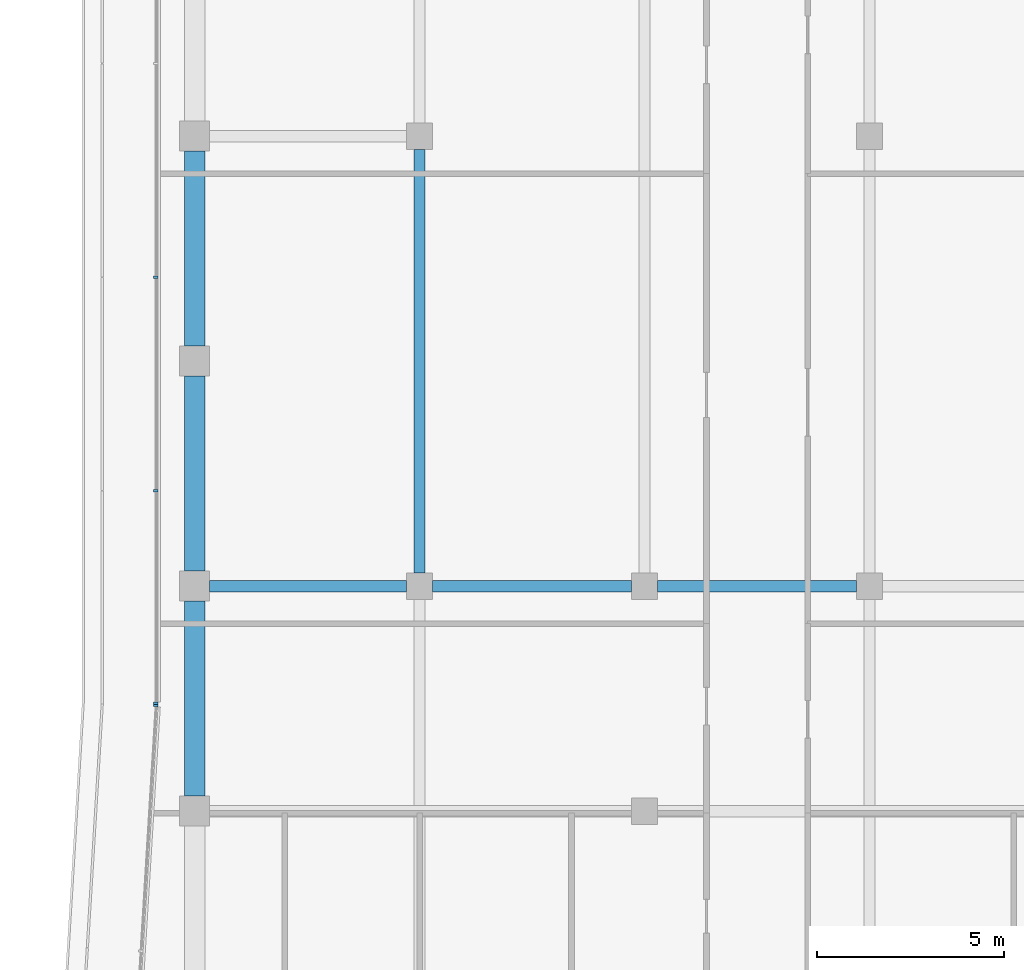
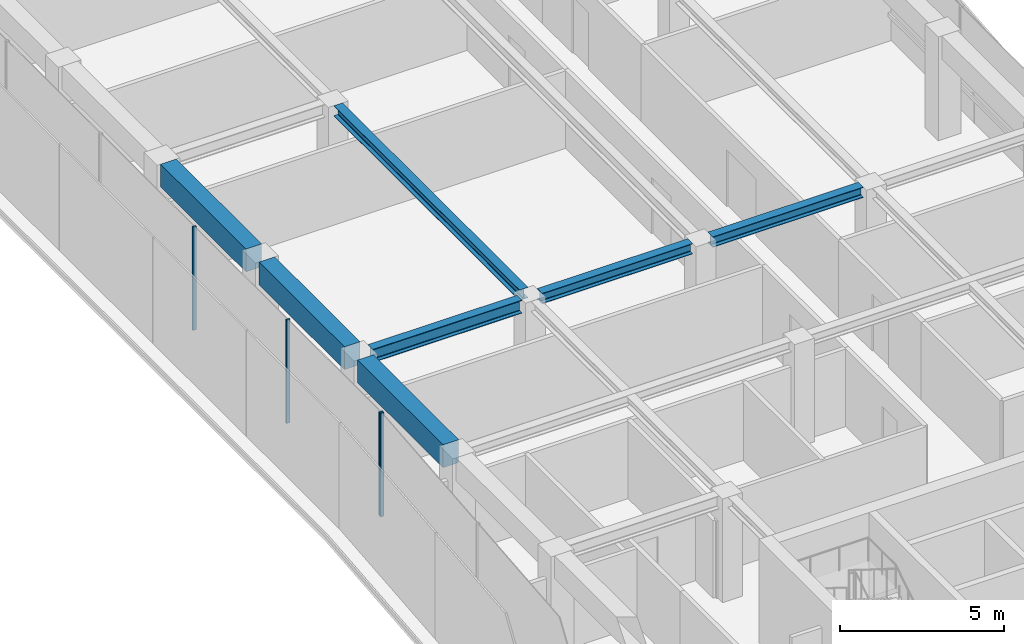
# One storey, part 7 of 19: 7 beams, 4 members, 2 elements without a shape of their own.
"""IFC4 building model written with IfcOpenShell, lengths in metres."""

from ifc_helpers import new_model, si_unit, direction, frame, origin, origin_2d, place, context, subcontext, project, spatial, rectangle, i_section, extrude, material, layer, layer_set, material_profile, profile_set, type_object, element, aggregate, save


model = new_model("IFC4")

# Units and contexts
model_context = context("Model", 3, precision=1e-05, world=origin(), true_north=direction((0.0, 1.0)))
body_context = subcontext(model_context, "Body", "Model", "MODEL_VIEW")
ifc_project = project(units=[si_unit("LENGTHUNIT", "METRE"), si_unit("AREAUNIT", "SQUARE_METRE"), si_unit("VOLUMEUNIT", "CUBIC_METRE"), si_unit("PLANEANGLEUNIT", "RADIAN"), si_unit("MASSUNIT", "GRAM", prefix="KILO")], contexts=[model_context])

# Site, building, storey
site_placement = place(None, origin())
site = spatial("IfcSite", under=ifc_project, at=site_placement, CompositionType="ELEMENT")
building_placement = place(site_placement, origin())
building = spatial("IfcBuilding", under=site, at=building_placement, Name="Welwitschia Terrace Campus", CompositionType="ELEMENT")
storey_placement = place(building_placement, frame((0.0, 0.0, 243.199951171875)))
storey = spatial("IfcBuildingStorey", under=building, at=storey_placement, Name="L54", CompositionType="ELEMENT", Elevation=243.199951171875)

# Beams
ifc_material_1 = material(Name="Steel S355", Category="steel")
ifc_material_profile_1 = material_profile(ifc_material_1, i_section(OverallWidth=0.300048828125, OverallDepth=0.389892578125, WebThickness=0.010986328125, FlangeThickness=0.01904296875, FilletRadius=0.027099609375, at=origin_2d()))
ifc_profile_set_1 = profile_set([ifc_material_profile_1], Name="Steel S355")
beam_type_1 = type_object("IfcBeamType", Name="Interior girder HE 400 A", PredefinedType="BEAM", material=ifc_profile_set_1)
for number, where, z_axis, x_axis, name in (
    (1, (6.3505859375, 40.0, 3.655029296875), (1.0, 0.0, 0.0), (0.0, 1.0, 0.0), "Girder GB5"),
    (2, (12.3505859375, 40.0, 3.655029296875), (1.0, 0.0, 0.0), (0.0, 1.0, 0.0), "Girder GB5"),
):
    element("IfcBeam", number, at=place(storey_placement, frame(where, z_axis=z_axis, x_axis=x_axis)), inside=storey, type_object=beam_type_1, Name=name, PredefinedType="BEAM", context=body_context, shape_type="SweptSolid", body=[
        extrude(i_section(OverallWidth=0.300048828125, OverallDepth=0.389892578125, WebThickness=0.010986328125, FlangeThickness=0.01904296875, FilletRadius=0.027099609375, at=origin_2d()), origin(), (0.0, 0.0, 1.0), 5.298828125),
    ])
beam_1_placement = place(storey_placement, frame((6.0, 40.3505859375, 3.655029296875), z_axis=(0.0, 1.0, 0.0), x_axis=(-1.0, 0.0, 0.0)))
element("IfcBeam", 3, at=beam_1_placement, inside=storey, type_object=beam_type_1, Name="Girder GB5", PredefinedType="BEAM", context=body_context, shape_type="SweptSolid", body=[
    extrude(i_section(OverallWidth=0.300048828125, OverallDepth=0.389892578125, WebThickness=0.010986328125, FlangeThickness=0.01904296875, FilletRadius=0.027099609375, at=origin_2d()), origin(), (0.0, 0.0, 1.0), 11.298828125),
])

# Curtain wall, member
ifc_material_2 = material(Name="Bronze anodised aluminium", Category="aluminium")
ifc_layer = layer(ifc_material_2, 0.1201171875)
ifc_layer_set = layer_set([ifc_layer], Name="Bronze anodised aluminium")
curtain_wall_type = type_object("IfcCurtainWallType", Name="Curtain wall CW2 tower 6000", PredefinedType="NOTDEFINED", material=ifc_layer_set)
curtain_wall_1_placement = place(storey_placement, origin())
curtain_wall_1 = element("IfcCurtainWall", 4, at=curtain_wall_1_placement, inside=storey, type_object=curtain_wall_type, Name="CW L54.0.0", PredefinedType="NOTDEFINED")
ifc_material_3 = material(Name="Bronze anodised aluminium", Category="aluminium")
ifc_material_profile_2 = material_profile(ifc_material_3, rectangle(XDim=0.1201171875, YDim=0.06005859375, at=origin_2d()))
ifc_profile_set_2 = profile_set([ifc_material_profile_2], Name="Bronze anodised aluminium")
member_type = type_object("IfcMemberType", Name="Mullion 60x120", PredefinedType="MULLION", material=ifc_profile_set_2)
member_1_placement = place(storey_placement, frame((-1.03173828125, 36.816650390625, 0.0), z_axis=(0.0, 0.0, 1.0), x_axis=(0.998134798422, -0.061048539535, 0.0)))
member_1 = element("IfcMember", 5, at=member_1_placement, type_object=member_type, Name="Mullion L54.0.0.0", PredefinedType="MULLION", context=body_context, shape_type="SweptSolid", body=[
    extrude(rectangle(XDim=0.1201171875, YDim=0.06005859375, at=origin_2d()), origin(), (0.0, 0.0, 1.0), 3.85009765625),
])
aggregate(curtain_wall_1, [member_1])

# Curtain wall, members
curtain_wall_2_placement = place(storey_placement, origin())
curtain_wall_2 = element("IfcCurtainWall", 6, at=curtain_wall_2_placement, inside=storey, type_object=curtain_wall_type, Name="CW L54.8.0", PredefinedType="NOTDEFINED")
member_2_placement = place(storey_placement, frame((-1.030029296875, 48.240966796875, 0.0), z_axis=(0.0, 0.0, 1.0), x_axis=(1.0, 0.0, 0.0)))
member_2 = element("IfcMember", 7, at=member_2_placement, type_object=member_type, Name="Mullion L54.8.0.4", PredefinedType="MULLION", context=body_context, shape_type="SweptSolid", body=[
    extrude(rectangle(XDim=0.1201171875, YDim=0.06005859375, at=origin_2d()), origin(), (0.0, 0.0, 1.0), 3.85009765625),
])
member_3_placement = place(storey_placement, frame((-1.030029296875, 42.543701171875, 0.0), z_axis=(0.0, 0.0, 1.0), x_axis=(1.0, 0.0, 0.0)))
member_3 = element("IfcMember", 8, at=member_3_placement, type_object=member_type, Name="Mullion L54.8.0.5", PredefinedType="MULLION", context=body_context, shape_type="SweptSolid", body=[
    extrude(rectangle(XDim=0.1201171875, YDim=0.06005859375, at=origin_2d()), origin(), (0.0, 0.0, 1.0), 3.85009765625),
])
member_4_placement = place(storey_placement, frame((-1.030029296875, 36.87646484375, 0.0), z_axis=(0.0, 0.0, 1.0), x_axis=(1.0, 0.0, 0.0)))
member_4 = element("IfcMember", 9, at=member_4_placement, type_object=member_type, Name="Mullion L54.8.0.6", PredefinedType="MULLION", context=body_context, shape_type="SweptSolid", body=[
    extrude(rectangle(XDim=0.1201171875, YDim=0.06005859375, at=origin_2d()), origin(), (0.0, 0.0, 1.0), 3.85009765625),
])
aggregate(curtain_wall_2, [member_2, member_3, member_4])

# Beams
ifc_material_4 = material(Name="Steel S355", Category="steel")
ifc_material_profile_3 = material_profile(ifc_material_4, i_section(OverallWidth=0.300048828125, OverallDepth=0.489990234375, WebThickness=0.011962890625, FlangeThickness=0.02294921875, FilletRadius=0.027099609375, at=origin_2d()))
ifc_profile_set_3 = profile_set([ifc_material_profile_3], Name="Steel S355")
beam_type_2 = type_object("IfcBeamType", Name="Primary beam HE 500 A", PredefinedType="BEAM", material=ifc_profile_set_3)
beam_2_placement = place(storey_placement, frame((0.400390625, 40.0, 3.60498046875), z_axis=(1.0, 0.0, 0.0), x_axis=(0.0, 1.0, 0.0)))
element("IfcBeam", 10, at=beam_2_placement, inside=storey, type_object=beam_type_2, Name="Primary beam PB5", PredefinedType="BEAM", context=body_context, shape_type="SweptSolid", body=[
    extrude(i_section(OverallWidth=0.300048828125, OverallDepth=0.489990234375, WebThickness=0.011962890625, FlangeThickness=0.02294921875, FilletRadius=0.027099609375, at=origin_2d()), origin(), (0.0, 0.0, 1.0), 5.2490234375),
])
ifc_material_5 = material(Name="Concrete C50/60", Category="concrete")
ifc_material_profile_4 = material_profile(ifc_material_5, rectangle(XDim=0.550048828125, YDim=0.85009765625, at=origin_2d()))
ifc_profile_set_4 = profile_set([ifc_material_profile_4], Name="Concrete C50/60")
beam_type_3 = type_object("IfcBeamType", Name="Ring spandrel 550x850", PredefinedType="SPANDREL", material=ifc_profile_set_4)
for number, where, z_axis, x_axis, name in (
    (11, (0.0, 51.599609375, 3.425048828125), (0.0, -1.0, 0.0), (1.0, 0.0, 0.0), "Spandrel SP3"),
    (12, (0.0, 45.599609375, 3.425048828125), (0.0, -1.0, 0.0), (1.0, 0.0, 0.0), "Spandrel SP3"),
    (13, (0.0, 39.599609375, 3.425048828125), (0.0, -1.0, 0.0), (1.0, 0.0, 0.0), "Spandrel SP3"),
):
    element("IfcBeam", number, at=place(storey_placement, frame(where, z_axis=z_axis, x_axis=x_axis)), inside=storey, type_object=beam_type_3, Name=name, PredefinedType="SPANDREL", context=body_context, shape_type="SweptSolid", body=[
        extrude(rectangle(XDim=0.550048828125, YDim=0.85009765625, at=origin_2d()), origin(), (0.0, 0.0, 1.0), 5.19921875),
    ])

save(model, "model.ifc")
